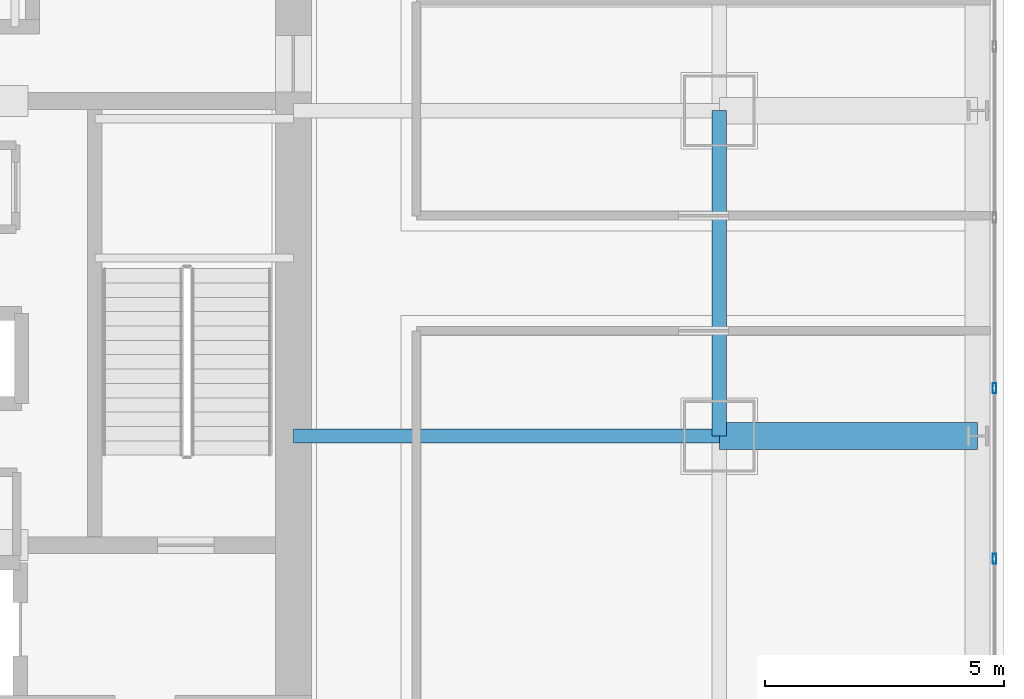
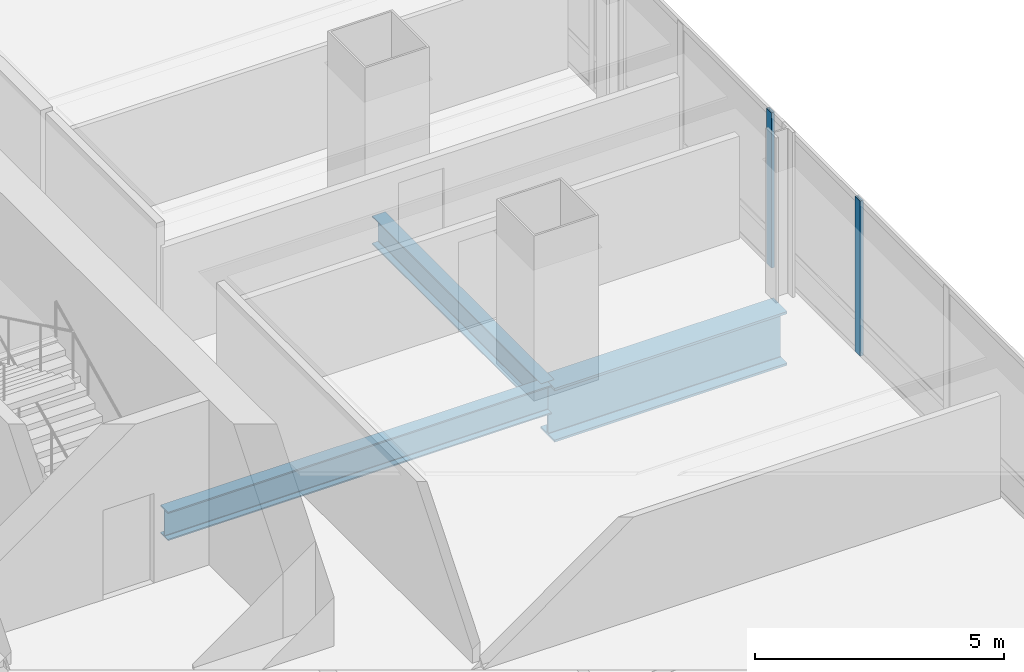
# One storey, part 15 of 34: 3 beams, 2 members, 1 element without a shape of its own.
"""IFC4 building model written with IfcOpenShell, lengths in metres."""

from ifc_helpers import new_model, si_unit, direction, frame, origin, origin_2d, place, context, subcontext, project, spatial, hollow_rectangle, i_section, extrude, material, material_profile, profile_set, type_object, element, aggregate, save


model = new_model("IFC4")

# Units and contexts
model_context = context("Model", 3, precision=1e-05, world=origin(), true_north=direction((0.0, 1.0)))
body_context = subcontext(model_context, "Body", "Model", "MODEL_VIEW")
ifc_project = project(units=[si_unit("LENGTHUNIT", "METRE"), si_unit("AREAUNIT", "SQUARE_METRE"), si_unit("VOLUMEUNIT", "CUBIC_METRE"), si_unit("PLANEANGLEUNIT", "RADIAN"), si_unit("MASSUNIT", "GRAM", prefix="KILO")], contexts=[model_context])

# Site, building, storey
site_placement = place(None, origin())
site = spatial("IfcSite", under=ifc_project, at=site_placement, CompositionType="ELEMENT")
building_placement = place(site_placement, origin())
building = spatial("IfcBuilding", under=site, at=building_placement, Name="Punatoya Terracotta Tower", CompositionType="ELEMENT")
storey_placement = place(building_placement, frame((0.0, 0.0, 80.85009765625)))
storey = spatial("IfcBuildingStorey", under=building, at=storey_placement, Name="L18", CompositionType="ELEMENT", Elevation=80.85009765625)

# Beams
ifc_material_1 = material(Name="Steel S355", Category="steel")
ifc_material_profile_1 = material_profile(ifc_material_1, i_section(OverallWidth=0.300048828125, OverallDepth=0.699951171875, WebThickness=0.01708984375, FlangeThickness=0.031982421875, FilletRadius=0.01806640625, at=origin_2d()))
ifc_profile_set_1 = profile_set([ifc_material_profile_1], Name="Steel S355")
beam_type_1 = type_object("IfcBeamType", Name="BM-PRI-700", PredefinedType="BEAM", material=ifc_profile_set_1)
beam_1_placement = place(storey_placement, frame((19.10009765625, -3.39990234375, -0.590087890625), z_axis=(0.0, 1.0, 0.0), x_axis=(-1.0, 0.0, 0.0)))
element("IfcBeam", 1, at=beam_1_placement, inside=storey, type_object=beam_type_1, Name="BM-L18-RG-E2", PredefinedType="BEAM", context=body_context, shape_type="SweptSolid", body=[
    extrude(i_section(OverallWidth=0.300048828125, OverallDepth=0.699951171875, WebThickness=0.01708984375, FlangeThickness=0.031982421875, FilletRadius=0.01806640625, at=origin_2d()), origin(), (0.0, 0.0, 1.0), 6.7998046875),
])
beam_2_placement = place(storey_placement, frame((10.199951171875, -3.39990234375, -0.590087890625), z_axis=(1.0, 0.0, 0.0), x_axis=(0.0, 1.0, 0.0)))
element("IfcBeam", 2, at=beam_2_placement, inside=storey, type_object=beam_type_1, Name="BM-L18-PR-ED", PredefinedType="BEAM", context=body_context, shape_type="SweptSolid", body=[
    extrude(i_section(OverallWidth=0.300048828125, OverallDepth=0.699951171875, WebThickness=0.01708984375, FlangeThickness=0.031982421875, FilletRadius=0.01806640625, at=origin_2d()), origin(), (0.0, 0.0, 1.0), 8.900146484375),
])
ifc_material_2 = material(Name="Steel S460", Category="steel")
ifc_material_profile_2 = material_profile(ifc_material_2, i_section(OverallWidth=0.56005859375, OverallDepth=1.320068359375, WebThickness=0.035888671875, FlangeThickness=0.054931640625, FilletRadius=0.01806640625, at=origin_2d()))
ifc_profile_set_2 = profile_set([ifc_material_profile_2], Name="Steel S460")
beam_type_2 = type_object("IfcBeamType", Name="BM-TG-BLK", PredefinedType="BEAM", material=ifc_profile_set_2)
beam_3_placement = place(storey_placement, frame((19.10009765625, -3.39990234375, -0.900146484375), z_axis=(1.0, 0.0, 0.0), x_axis=(0.0, 1.0, 0.0)))
element("IfcBeam", 3, at=beam_3_placement, inside=storey, type_object=beam_type_2, Name="BM-L18-CANT-E2", PredefinedType="BEAM", context=body_context, shape_type="SweptSolid", body=[
    extrude(i_section(OverallWidth=0.56005859375, OverallDepth=1.320068359375, WebThickness=0.035888671875, FlangeThickness=0.054931640625, FilletRadius=0.01806640625, at=origin_2d()), origin(), (0.0, 0.0, 1.0), 5.39990234375),
])

# Curtain wall, members
ifc_material_3 = material(Name="Aluminium 6063-T6 + Double Low-E Glass", Category="aluminium")
curtain_wall_type = type_object("IfcCurtainWallType", Name="CW-M1", PredefinedType="NOTDEFINED", material=ifc_material_3)
curtain_wall_placement = place(storey_placement, origin())
curtain_wall = element("IfcCurtainWall", 4, at=curtain_wall_placement, inside=storey, type_object=curtain_wall_type, Name="L18 Curtain Wall CW-L18-E05-1", PredefinedType="NOTDEFINED")
ifc_material_4 = material(Name="Aluminium 6063-T6", Category="aluminium")
ifc_material_profile_3 = material_profile(ifc_material_4, hollow_rectangle(XDim=0.074951171875, YDim=0.2099609375, WallThickness=0.00439453125, at=origin_2d()))
ifc_profile_set_3 = profile_set([ifc_material_profile_3], Name="Aluminium 6063-T6")
member_type = type_object("IfcMemberType", Name="CW-MUL-M1", PredefinedType="MULLION", material=ifc_profile_set_3)
member_1_placement = place(storey_placement, frame((24.85009765625, -5.96728515625, 0.0), z_axis=(0.0, 0.0, 1.0), x_axis=(1.0, 0.0, 0.0)))
member_1 = element("IfcMember", 5, at=member_1_placement, type_object=member_type, Name="CW-L18-E05-1 Mullion 04", PredefinedType="MULLION", context=body_context, shape_type="SweptSolid", body=[
    extrude(hollow_rectangle(XDim=0.074951171875, YDim=0.2099609375, WallThickness=0.00439453125, at=origin_2d()), origin(), (0.0, 0.0, 1.0), 3.809814453125),
])
member_2_placement = place(storey_placement, frame((24.85009765625, -2.39990234375, 0.0), z_axis=(0.0, 0.0, 1.0), x_axis=(1.0, 0.0, 0.0)))
member_2 = element("IfcMember", 6, at=member_2_placement, type_object=member_type, Name="CW-L18-E05-1 Mullion 05", PredefinedType="MULLION", context=body_context, shape_type="SweptSolid", body=[
    extrude(hollow_rectangle(XDim=0.074951171875, YDim=0.2099609375, WallThickness=0.00439453125, at=origin_2d()), origin(), (0.0, 0.0, 1.0), 3.809814453125),
])
aggregate(curtain_wall, [member_1, member_2])

save(model, "model.ifc")
